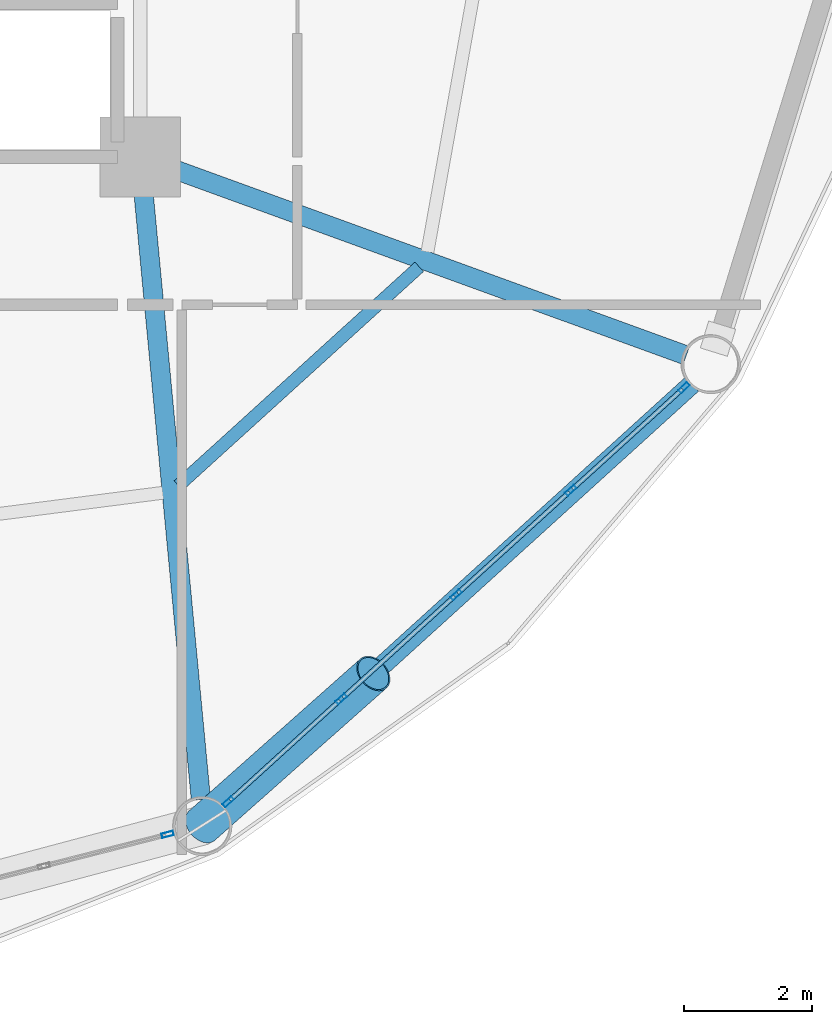
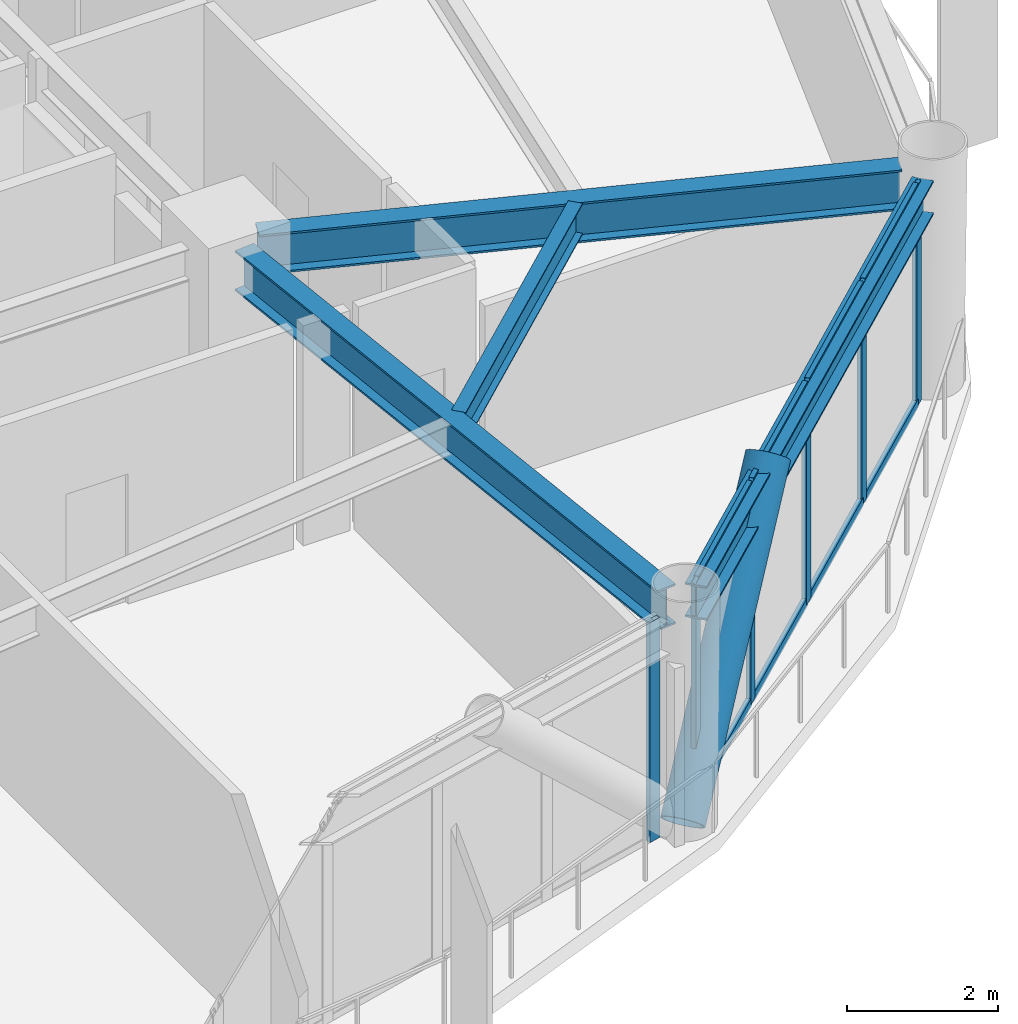
# One storey, part 12 of 25: 15 members, 4 beams, 2 elements without a shape of their own.
"""IFC4 building model written with IfcOpenShell, lengths in metres."""

from ifc_helpers import new_model, si_unit, direction, frame, origin, origin_2d, place, context, subcontext, project, spatial, hollow_rectangle, hollow_circle, i_section, extrude, material, layer, layer_set, material_profile, profile_set, type_object, element, aggregate, save


model = new_model("IFC4")

# Units and contexts
model_context = context("Model", 3, precision=1e-05, world=origin(), true_north=direction((0.0, 1.0)))
body_context = subcontext(model_context, "Body", "Model", "MODEL_VIEW")
ifc_project = project(units=[si_unit("LENGTHUNIT", "METRE"), si_unit("AREAUNIT", "SQUARE_METRE"), si_unit("VOLUMEUNIT", "CUBIC_METRE"), si_unit("PLANEANGLEUNIT", "RADIAN"), si_unit("MASSUNIT", "GRAM", prefix="KILO")], contexts=[model_context])

# Site, building, storey
site_placement = place(None, origin())
site = spatial("IfcSite", under=ifc_project, at=site_placement, CompositionType="ELEMENT")
building_placement = place(site_placement, origin())
building = spatial("IfcBuilding", under=site, at=building_placement, Name="Varnakorn Sky Granary", CompositionType="ELEMENT")
storey_placement = place(building_placement, frame((0.0, 0.0, 74.39990234375)))
storey = spatial("IfcBuildingStorey", under=building, at=storey_placement, Name="L18", CompositionType="ELEMENT", Elevation=74.39990234375)

# Beams
ifc_material_1 = material(Name="Steel S355JR", Category="steel")
ifc_material_profile_1 = material_profile(ifc_material_1, i_section(OverallWidth=0.300048828125, OverallDepth=0.64990234375, WebThickness=0.01611328125, FlangeThickness=0.031005859375, at=origin_2d()), Name="HE 650 B")
ifc_profile_set_1 = profile_set([ifc_material_profile_1], Name="Steel S355JR")
beam_type_1 = type_object("IfcBeamType", Name="BM-RAD-Z1", PredefinedType="BEAM", material=ifc_profile_set_1)
beam_1_placement = place(storey_placement, frame((8.389404296875, -7.01806640625, 3.22509765625), z_axis=(0.09416909855, -0.995556216835, 0.0), x_axis=(0.995556216835, 0.09416909855, 0.0)))
element("IfcBeam", 1, at=beam_1_placement, inside=storey, type_object=beam_type_1, Name="Radial Floor Girder RG11 L18", PredefinedType="BEAM", context=body_context, shape_type="SweptSolid", body=[
    extrude(i_section(OverallWidth=0.300048828125, OverallDepth=0.64990234375, WebThickness=0.01611328125, FlangeThickness=0.031005859375, at=origin_2d()), origin(), (0.0, 0.0, 1.0), 9.63134765625),
])
beam_2_placement = place(storey_placement, frame((8.74462890625, -6.743408203125, 3.22509765625), z_axis=(0.939880111391, -0.341504577146, 0.0), x_axis=(0.341504577146, 0.939880111391, 0.0)))
element("IfcBeam", 2, at=beam_2_placement, inside=storey, type_object=beam_type_1, Name="Radial Floor Girder RG12 L18", PredefinedType="BEAM", context=body_context, shape_type="SweptSolid", body=[
    extrude(i_section(OverallWidth=0.300048828125, OverallDepth=0.64990234375, WebThickness=0.01611328125, FlangeThickness=0.031005859375, at=origin_2d()), origin(), (0.0, 0.0, 1.0), 8.630859375),
])
ifc_material_profile_2 = material_profile(ifc_material_1, i_section(OverallWidth=0.199951171875, OverallDepth=0.5, WebThickness=0.01025390625, FlangeThickness=0.01611328125, at=origin_2d()), Name="IPE 500")
ifc_profile_set_2 = profile_set([ifc_material_profile_2], Name="Steel S355JR")
beam_type_2 = type_object("IfcBeamType", Name="BM-SEC-Z1", PredefinedType="BEAM", material=ifc_profile_set_2)
beam_3_placement = place(storey_placement, frame((8.946533203125, -11.71826171875, 3.300048828125), z_axis=(0.740190749201, 0.672396947344, 0.0), x_axis=(-0.672396947344, 0.740190749201, 0.0)))
element("IfcBeam", 3, at=beam_3_placement, inside=storey, type_object=beam_type_2, Name="Secondary Floor Chord Beam MSB11 L18", PredefinedType="BEAM", context=body_context, shape_type="SweptSolid", body=[
    extrude(i_section(OverallWidth=0.199951171875, OverallDepth=0.5, WebThickness=0.01025390625, FlangeThickness=0.01611328125, at=origin_2d()), origin(), (0.0, 0.0, 1.0), 5.06689453125),
])
ifc_material_profile_3 = material_profile(ifc_material_1, i_section(OverallWidth=0.300048828125, OverallDepth=0.550048828125, WebThickness=0.014892578125, FlangeThickness=0.029052734375, at=origin_2d()), Name="HE 550 B")
ifc_profile_set_3 = profile_set([ifc_material_profile_3], Name="Steel S355JR")
beam_type_3 = type_object("IfcBeamType", Name="BM-SPD-Z1", PredefinedType="SPANDREL", material=ifc_profile_set_3)
beam_4_placement = place(storey_placement, frame((9.665283203125, -16.749755859375, 3.275146484375), z_axis=(0.74030283962, 0.672273534843, 0.0), x_axis=(-0.672273534843, 0.74030283962, 0.0)))
element("IfcBeam", 4, at=beam_4_placement, inside=storey, type_object=beam_type_3, Name="Perimeter Spandrel Ring Beam RB11 L18", PredefinedType="SPANDREL", context=body_context, shape_type="SweptSolid", body=[
    extrude(i_section(OverallWidth=0.300048828125, OverallDepth=0.550048828125, WebThickness=0.014892578125, FlangeThickness=0.029052734375, at=origin_2d()), origin(), (0.0, 0.0, 1.0), 9.833251953125),
])

# Curtain wall, member
ifc_material_2 = material(Name="Anodised Bronze Aluminium Alloy 6063-T6", Category="aluminium")
ifc_layer = layer(ifc_material_2, 0.18994140625, Name="Anodised Bronze Aluminium Alloy 6063-T6")
ifc_layer_set = layer_set([ifc_layer], Name="Anodised Bronze Aluminium Alloy 6063-T6")
curtain_wall_type = type_object("IfcCurtainWallType", Name="CW-FRM-1", PredefinedType="USERDEFINED", material=ifc_layer_set)
curtain_wall_1_placement = place(storey_placement, origin())
curtain_wall_1 = element("IfcCurtainWall", 5, at=curtain_wall_1_placement, inside=storey, type_object=curtain_wall_type, Name="Unitised Curtain Wall CW3 CW-L18-B10", ObjectType="CURTAIN WALL", PredefinedType="USERDEFINED")
ifc_material_profile_4 = material_profile(ifc_material_2, hollow_rectangle(XDim=0.070068359375, YDim=0.18505859375, WallThickness=0.00390625, at=origin_2d()), Name="ALU MULL 70x185")
ifc_profile_set_4 = profile_set([ifc_material_profile_4], Name="Anodised Bronze Aluminium Alloy 6063-T6")
member_type_1 = type_object("IfcMemberType", Name="CW-FRM-1-MULL", PredefinedType="MULLION", material=ifc_profile_set_4)
member_1_placement = place(storey_placement, frame((8.77880859375, -17.15087890625, 0.0), z_axis=(0.0, 0.0, 1.0), x_axis=(0.247900922341, -0.968785390426, 0.0)))
member_1 = element("IfcMember", 6, at=member_1_placement, type_object=member_type_1, Name="CW3 mullion 1", PredefinedType="MULLION", context=body_context, shape_type="SweptSolid", body=[
    extrude(hollow_rectangle(XDim=0.070068359375, YDim=0.18505859375, WallThickness=0.00390625, at=origin_2d()), origin(), (0.0, 0.0, 1.0), 3.550048828125),
])
aggregate(curtain_wall_1, [member_1])

# Curtain wall, members
curtain_wall_2_placement = place(storey_placement, origin())
curtain_wall_2 = element("IfcCurtainWall", 7, at=curtain_wall_2_placement, inside=storey, type_object=curtain_wall_type, Name="Unitised Curtain Wall CW3 CW-L18-B11", ObjectType="CURTAIN WALL", PredefinedType="USERDEFINED")
member_2_placement = place(storey_placement, frame((16.82080078125, -10.194091796875, 0.0), z_axis=(0.0, 0.0, 1.0), x_axis=(0.672398130197, -0.740189674683, 0.0)))
member_2 = element("IfcMember", 8, at=member_2_placement, type_object=member_type_1, Name="CW3 mullion 1", PredefinedType="MULLION", context=body_context, shape_type="SweptSolid", body=[
    extrude(hollow_rectangle(XDim=0.070068359375, YDim=0.18505859375, WallThickness=0.00390625, at=origin_2d()), origin(), (0.0, 0.0, 1.0), 3.550048828125),
])
member_3_placement = place(storey_placement, frame((15.05908203125, -11.79443359375, 0.0), z_axis=(0.0, 0.0, 1.0), x_axis=(0.672398130197, -0.740189674683, 0.0)))
member_3 = element("IfcMember", 9, at=member_3_placement, type_object=member_type_1, Name="CW3 mullion 2", PredefinedType="MULLION", context=body_context, shape_type="SweptSolid", body=[
    extrude(hollow_rectangle(XDim=0.070068359375, YDim=0.18505859375, WallThickness=0.00390625, at=origin_2d()), origin(), (0.0, 0.0, 1.0), 3.550048828125),
])
member_4_placement = place(storey_placement, frame((13.271484375, -13.41845703125, 0.0), z_axis=(0.0, 0.0, 1.0), x_axis=(0.672398130197, -0.740189674683, 0.0)))
member_4 = element("IfcMember", 10, at=member_4_placement, type_object=member_type_1, Name="CW3 mullion 3", PredefinedType="MULLION", context=body_context, shape_type="SweptSolid", body=[
    extrude(hollow_rectangle(XDim=0.070068359375, YDim=0.18505859375, WallThickness=0.00390625, at=origin_2d()), origin(), (0.0, 0.0, 1.0), 3.550048828125),
])
member_5_placement = place(storey_placement, frame((11.48388671875, -15.04248046875, 0.0), z_axis=(0.0, 0.0, 1.0), x_axis=(0.672398130197, -0.740189674683, 0.0)))
member_5 = element("IfcMember", 11, at=member_5_placement, type_object=member_type_1, Name="CW3 mullion 4", PredefinedType="MULLION", context=body_context, shape_type="SweptSolid", body=[
    extrude(hollow_rectangle(XDim=0.070068359375, YDim=0.18505859375, WallThickness=0.00390625, at=origin_2d()), origin(), (0.0, 0.0, 1.0), 3.550048828125),
])
member_6_placement = place(storey_placement, frame((9.72216796875, -16.642822265625, 0.0), z_axis=(0.0, 0.0, 1.0), x_axis=(0.672398130197, -0.740189674683, 0.0)))
member_6 = element("IfcMember", 12, at=member_6_placement, type_object=member_type_1, Name="CW3 mullion 5", PredefinedType="MULLION", context=body_context, shape_type="SweptSolid", body=[
    extrude(hollow_rectangle(XDim=0.070068359375, YDim=0.18505859375, WallThickness=0.00390625, at=origin_2d()), origin(), (0.0, 0.0, 1.0), 3.550048828125),
])
ifc_material_profile_5 = material_profile(ifc_material_2, hollow_rectangle(XDim=0.070068359375, YDim=0.139892578125, WallThickness=0.00341796875, at=origin_2d()), Name="ALU TRAN 70x140")
ifc_profile_set_5 = profile_set([ifc_material_profile_5], Name="Anodised Bronze Aluminium Alloy 6063-T6")
member_type_2 = type_object("IfcMemberType", Name="CW-FRM-1-TRAN", PredefinedType="USERDEFINED", material=ifc_profile_set_5)
member_7_placement = place(storey_placement, frame((16.794921875, -10.2177734375, 0.03515625), z_axis=(-0.740217373706, -0.672367637281, 0.0), x_axis=(0.672367637281, -0.740217373706, 0.0)))
member_7 = element("IfcMember", 13, at=member_7_placement, type_object=member_type_2, Name="CW3 transom 1.1", ObjectType="TRANSOM", PredefinedType="USERDEFINED", context=body_context, shape_type="SweptSolid", body=[
    extrude(hollow_rectangle(XDim=0.070068359375, YDim=0.139892578125, WallThickness=0.00341796875, at=origin_2d()), origin(), (0.0, 0.0, 1.0), 2.31005859375),
])
member_8_placement = place(storey_placement, frame((16.794921875, -10.2177734375, 3.51513671875), z_axis=(-0.740217373706, -0.672367637281, 0.0), x_axis=(0.672367637281, -0.740217373706, 0.0)))
member_8 = element("IfcMember", 14, at=member_8_placement, type_object=member_type_2, Name="CW3 transom 1.2", ObjectType="TRANSOM", PredefinedType="USERDEFINED", context=body_context, shape_type="SweptSolid", body=[
    extrude(hollow_rectangle(XDim=0.070068359375, YDim=0.139892578125, WallThickness=0.00341796875, at=origin_2d()), origin(), (0.0, 0.0, 1.0), 2.31005859375),
])
member_9_placement = place(storey_placement, frame((15.033203125, -11.818115234375, 0.03515625), z_axis=(-0.740180266474, -0.672408486801, 0.0), x_axis=(0.672408486801, -0.740180266474, 0.0)))
member_9 = element("IfcMember", 15, at=member_9_placement, type_object=member_type_2, Name="CW3 transom 2.1", ObjectType="TRANSOM", PredefinedType="USERDEFINED", context=body_context, shape_type="SweptSolid", body=[
    extrude(hollow_rectangle(XDim=0.070068359375, YDim=0.139892578125, WallThickness=0.00341796875, at=origin_2d()), origin(), (0.0, 0.0, 1.0), 2.34521484375),
])
member_10_placement = place(storey_placement, frame((15.033203125, -11.818115234375, 3.51513671875), z_axis=(-0.740180266474, -0.672408486801, 0.0), x_axis=(0.672408486801, -0.740180266474, 0.0)))
member_10 = element("IfcMember", 16, at=member_10_placement, type_object=member_type_2, Name="CW3 transom 2.2", ObjectType="TRANSOM", PredefinedType="USERDEFINED", context=body_context, shape_type="SweptSolid", body=[
    extrude(hollow_rectangle(XDim=0.070068359375, YDim=0.139892578125, WallThickness=0.00341796875, at=origin_2d()), origin(), (0.0, 0.0, 1.0), 2.34521484375),
])
member_11_placement = place(storey_placement, frame((13.24560546875, -13.44189453125, 0.03515625), z_axis=(-0.740180266474, -0.672408486801, 0.0), x_axis=(0.672408486801, -0.740180266474, 0.0)))
member_11 = element("IfcMember", 17, at=member_11_placement, type_object=member_type_2, Name="CW3 transom 3.1", ObjectType="TRANSOM", PredefinedType="USERDEFINED", context=body_context, shape_type="SweptSolid", body=[
    extrude(hollow_rectangle(XDim=0.070068359375, YDim=0.139892578125, WallThickness=0.00341796875, at=origin_2d()), origin(), (0.0, 0.0, 1.0), 2.34521484375),
])
member_12_placement = place(storey_placement, frame((13.24560546875, -13.44189453125, 3.51513671875), z_axis=(-0.740180266474, -0.672408486801, 0.0), x_axis=(0.672408486801, -0.740180266474, 0.0)))
member_12 = element("IfcMember", 18, at=member_12_placement, type_object=member_type_2, Name="CW3 transom 3.2", ObjectType="TRANSOM", PredefinedType="USERDEFINED", context=body_context, shape_type="SweptSolid", body=[
    extrude(hollow_rectangle(XDim=0.070068359375, YDim=0.139892578125, WallThickness=0.00341796875, at=origin_2d()), origin(), (0.0, 0.0, 1.0), 2.34521484375),
])
member_13_placement = place(storey_placement, frame((11.4580078125, -15.06591796875, 0.03515625), z_axis=(-0.740217373706, -0.672367637281, 0.0), x_axis=(0.672367637281, -0.740217373706, 0.0)))
member_13 = element("IfcMember", 19, at=member_13_placement, type_object=member_type_2, Name="CW3 transom 4.1", ObjectType="TRANSOM", PredefinedType="USERDEFINED", context=body_context, shape_type="SweptSolid", body=[
    extrude(hollow_rectangle(XDim=0.070068359375, YDim=0.139892578125, WallThickness=0.00341796875, at=origin_2d()), origin(), (0.0, 0.0, 1.0), 2.31005859375),
])
member_14_placement = place(storey_placement, frame((11.4580078125, -15.06591796875, 3.51513671875), z_axis=(-0.740217373706, -0.672367637281, 0.0), x_axis=(0.672367637281, -0.740217373706, 0.0)))
member_14 = element("IfcMember", 20, at=member_14_placement, type_object=member_type_2, Name="CW3 transom 4.2", ObjectType="TRANSOM", PredefinedType="USERDEFINED", context=body_context, shape_type="SweptSolid", body=[
    extrude(hollow_rectangle(XDim=0.070068359375, YDim=0.139892578125, WallThickness=0.00341796875, at=origin_2d()), origin(), (0.0, 0.0, 1.0), 2.31005859375),
])
aggregate(curtain_wall_2, [member_2, member_3, member_4, member_5, member_6, member_7, member_8, member_9, member_10, member_11, member_12, member_13, member_14])

# Member
ifc_material_3 = material(Name="Steel S460M", Category="steel")
ifc_material_profile_6 = material_profile(ifc_material_3, hollow_circle(Radius=0.304931640625, WallThickness=0.022216796875, at=origin_2d()), Name="CHS 610x22")
ifc_profile_set_6 = profile_set([ifc_material_profile_6], Name="Steel S460M")
member_type_3 = type_object("IfcMemberType", Name="MB-DIAG-T1", PredefinedType="BRACE", material=ifc_profile_set_6)
member_15_placement = place(storey_placement, frame((9.3134765625, -17.013916015625, 0.0), z_axis=(0.530266033352, 0.470560784376, 0.705259159515), x_axis=(-0.663743646277, 0.747960140667, 0.0)))
element("IfcMember", 21, at=member_15_placement, inside=storey, type_object=member_type_3, Name="Perimeter CHS Diagrid Brace DG11 L18", PredefinedType="BRACE", context=body_context, shape_type="SweptSolid", body=[
    extrude(hollow_circle(Radius=0.304931640625, WallThickness=0.022216796875, at=origin_2d()), origin(), (0.0, 0.0, 1.0), 5.03369140625),
])

save(model, "model.ifc")
